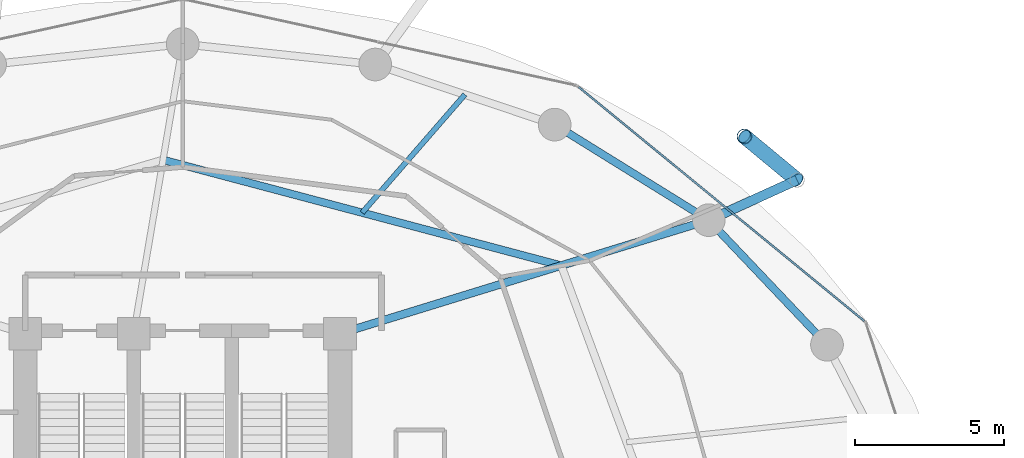
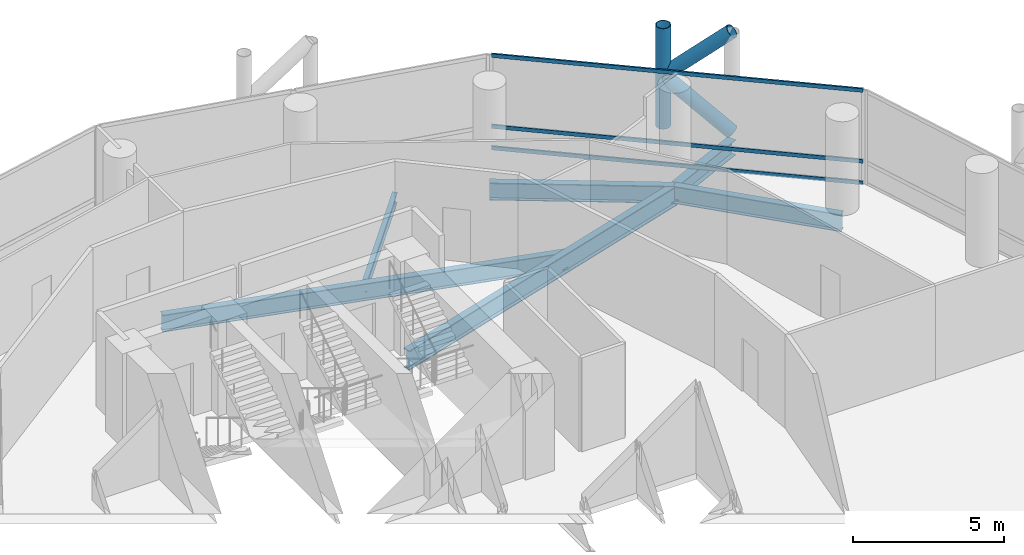
# One storey, part 17 of 25: 6 beams, 6 members, 1 element without a shape of its own.
"""IFC4 building model written with IfcOpenShell, lengths in metres."""

from ifc_helpers import new_model, si_unit, direction, frame, origin, origin_2d, place, context, subcontext, project, spatial, hollow_rectangle, hollow_circle, i_section, extrude, material, layer, layer_set, material_profile, profile_set, type_object, element, aggregate, save


model = new_model("IFC4")

# Units and contexts
model_context = context("Model", 3, precision=1e-05, world=origin(), true_north=direction((0.0, 1.0)))
body_context = subcontext(model_context, "Body", "Model", "MODEL_VIEW")
ifc_project = project(units=[si_unit("LENGTHUNIT", "METRE"), si_unit("AREAUNIT", "SQUARE_METRE"), si_unit("VOLUMEUNIT", "CUBIC_METRE"), si_unit("PLANEANGLEUNIT", "RADIAN"), si_unit("MASSUNIT", "GRAM", prefix="KILO")], contexts=[model_context])

# Site, building, storey
site_placement = place(None, origin())
site = spatial("IfcSite", under=ifc_project, at=site_placement, CompositionType="ELEMENT")
building_placement = place(site_placement, origin())
building = spatial("IfcBuilding", under=site, at=building_placement, Name="Nuhasar Tower", CompositionType="ELEMENT")
storey_placement = place(building_placement, frame((0.0, 0.0, 45.300048828125)))
storey = spatial("IfcBuildingStorey", under=building, at=storey_placement, Name="L10", CompositionType="ELEMENT", Elevation=45.300048828125)

# Beams
ifc_material_1 = material(Name="Steel S355", Category="steel")
ifc_material_profile_1 = material_profile(ifc_material_1, i_section(OverallWidth=0.25390625, OverallDepth=0.68408203125, WebThickness=0.012451171875, FlangeThickness=0.018798828125, at=origin_2d()), Name="W27X94")
ifc_profile_set_1 = profile_set([ifc_material_profile_1], Name="Steel S355")
beam_type_1 = type_object("IfcBeamType", Name="BM-INRING-W27X94", PredefinedType="BEAM", material=ifc_profile_set_1)
beam_1_placement = place(storey_placement, frame((51.748046875, 39.591064453125, -0.60205078125), z_axis=(-0.96653253005, 0.256544086574, 0.0), x_axis=(-0.256544086574, -0.96653253005, 0.0)))
element("IfcBeam", 1, at=beam_1_placement, inside=storey, type_object=beam_type_1, Name="L10 Inner Header Beam 05", PredefinedType="BEAM", context=body_context, shape_type="SweptSolid", body=[
    extrude(i_section(OverallWidth=0.25390625, OverallDepth=0.68408203125, WebThickness=0.012451171875, FlangeThickness=0.018798828125, at=origin_2d()), origin(), (0.0, 0.0, 1.0), 13.872314453125),
])
ifc_material_profile_2 = material_profile(ifc_material_1, i_section(OverallWidth=0.177978515625, OverallDepth=0.406005859375, WebThickness=0.0078125, FlangeThickness=0.0126953125, at=origin_2d()), Name="W16X40")
ifc_profile_set_2 = profile_set([ifc_material_profile_2], Name="Steel S355")
beam_type_2 = type_object("IfcBeamType", Name="BM-JST-W16X40", PredefinedType="JOIST", material=ifc_profile_set_2)
beam_2_placement = place(storey_placement, frame((45.0439453125, 41.3701171875, -0.463134765625), z_axis=(0.656174129694, 0.754609509296, 0.0), x_axis=(-0.754609509296, 0.656174129694, 0.0)))
element("IfcBeam", 2, at=beam_2_placement, inside=storey, type_object=beam_type_2, Name="L10 Secondary Floor Joist 05", PredefinedType="JOIST", context=body_context, shape_type="SweptSolid", body=[
    extrude(i_section(OverallWidth=0.177978515625, OverallDepth=0.406005859375, WebThickness=0.0078125, FlangeThickness=0.0126953125, at=origin_2d()), origin(), (0.0, 0.0, 1.0), 5.27294921875),
])
ifc_material_profile_3 = material_profile(ifc_material_1, i_section(OverallWidth=0.26611328125, OverallDepth=0.779052734375, WebThickness=0.0166015625, FlangeThickness=0.030029296875, at=origin_2d()), Name="W30X148")
ifc_profile_set_3 = profile_set([ifc_material_profile_3], Name="Steel S355")
beam_type_3 = type_object("IfcBeamType", Name="BM-RAD-W30X148", PredefinedType="BEAM", material=ifc_profile_set_3)
beam_3_placement = place(storey_placement, frame((44.300048828125, 37.300048828125, -0.649169921875), z_axis=(0.955789576103, 0.294051502653, 0.0), x_axis=(-0.294051502653, 0.955789576103, 0.0)))
element("IfcBeam", 3, at=beam_3_placement, inside=storey, type_object=beam_type_3, Name="L10 Radial Floor Girder 05", PredefinedType="BEAM", context=body_context, shape_type="SweptSolid", body=[
    extrude(i_section(OverallWidth=0.26611328125, OverallDepth=0.779052734375, WebThickness=0.0166015625, FlangeThickness=0.030029296875, at=origin_2d()), origin(), (0.0, 0.0, 1.0), 12.987060546875),
])
ifc_material_profile_4 = material_profile(ifc_material_1, i_section(OverallWidth=0.256103515625, OverallDepth=0.693115234375, WebThickness=0.014404296875, FlangeThickness=0.023681640625, at=origin_2d()), Name="W27X114")
ifc_profile_set_4 = profile_set([ifc_material_profile_4], Name="Steel S355")
beam_type_4 = type_object("IfcBeamType", Name="BM-RING-W27X114", PredefinedType="SPANDREL", material=ifc_profile_set_4)
beam_4_placement = place(storey_placement, frame((60.694091796875, 36.925048828125, -0.60595703125), z_axis=(-0.688480893507, 0.725254478976, 0.0), x_axis=(-0.725254478976, -0.688480893507, 0.0)))
element("IfcBeam", 4, at=beam_4_placement, inside=storey, type_object=beam_type_4, Name="L10 Perimeter Ring Spandrel 03", PredefinedType="SPANDREL", context=body_context, shape_type="SweptSolid", body=[
    extrude(i_section(OverallWidth=0.256103515625, OverallDepth=0.693115234375, WebThickness=0.014404296875, FlangeThickness=0.023681640625, at=origin_2d()), origin(), (0.0, 0.0, 1.0), 5.782470703125),
])
beam_5_placement = place(storey_placement, frame((56.712890625, 41.118896484375, -0.60595703125), z_axis=(-0.849795216549, 0.527112976439, 0.0), x_axis=(-0.527112976439, -0.849795216549, 0.0)))
element("IfcBeam", 5, at=beam_5_placement, inside=storey, type_object=beam_type_4, Name="L10 Perimeter Ring Spandrel 04", PredefinedType="SPANDREL", context=body_context, shape_type="SweptSolid", body=[
    extrude(i_section(OverallWidth=0.256103515625, OverallDepth=0.693115234375, WebThickness=0.014404296875, FlangeThickness=0.023681640625, at=origin_2d()), origin(), (0.0, 0.0, 1.0), 6.10498046875),
])
ifc_material_profile_5 = material_profile(ifc_material_1, i_section(OverallWidth=0.323974609375, OverallDepth=0.611083984375, WebThickness=0.0126953125, FlangeThickness=0.01904296875, at=origin_2d()), Name="W24X104")
ifc_profile_set_5 = profile_set([ifc_material_profile_5], Name="Steel S355")
beam_type_5 = type_object("IfcBeamType", Name="BM-TIE-W24X104", PredefinedType="BEAM", material=ifc_profile_set_5)
beam_6_placement = place(storey_placement, frame((56.712890625, 41.118896484375, -0.566162109375), z_axis=(0.910243528587, 0.414073325227, 0.0), x_axis=(-0.414073325227, 0.910243528587, 0.0)))
element("IfcBeam", 6, at=beam_6_placement, inside=storey, type_object=beam_type_5, Name="L10 Exoskeleton Node Tie Beam 02", PredefinedType="BEAM", context=body_context, shape_type="SweptSolid", body=[
    extrude(i_section(OverallWidth=0.323974609375, OverallDepth=0.611083984375, WebThickness=0.0126953125, FlangeThickness=0.01904296875, at=origin_2d()), origin(), (0.0, 0.0, 1.0), 3.26513671875),
])

# Curtain wall, members
ifc_material_2 = material(Name="Aluminium 6063-T6", Category="aluminium")
ifc_layer = layer(ifc_material_2, 0.199951171875)
ifc_layer_set = layer_set([ifc_layer], Name="Aluminium 6063-T6")
curtain_wall_type = type_object("IfcCurtainWallType", Name="CW-Z1-OFF", PredefinedType="NOTDEFINED", material=ifc_layer_set)
curtain_wall_placement = place(storey_placement, origin())
curtain_wall = element("IfcCurtainWall", 7, at=curtain_wall_placement, inside=storey, type_object=curtain_wall_type, Name="L10 Unitised Curtain Wall 02", PredefinedType="NOTDEFINED")
ifc_material_profile_6 = material_profile(ifc_material_2, hollow_rectangle(XDim=0.06494140625, YDim=0.14990234375, WallThickness=0.00439453125, at=origin_2d()), Name="CWT-2")
ifc_profile_set_6 = profile_set([ifc_material_profile_6], Name="Aluminium 6063-T6")
member_type_1 = type_object("IfcMemberType", Name="CW-TRN-S2", PredefinedType="USERDEFINED", material=ifc_profile_set_6)
member_1_placement = place(storey_placement, frame((61.95166015625, 37.72119140625, 0.032470703125), z_axis=(-0.773540851599, 0.633746440548, 0.0), x_axis=(-0.633746440548, -0.773540851599, 0.0)))
member_1 = element("IfcMember", 8, at=member_1_placement, type_object=member_type_1, Name="CW-Z1 transom 1.1", ObjectType="TRANSOM", PredefinedType="USERDEFINED", context=body_context, shape_type="SweptSolid", body=[
    extrude(hollow_rectangle(XDim=0.06494140625, YDim=0.14990234375, WallThickness=0.00439453125, at=origin_2d()), origin(), (0.0, 0.0, 1.0), 12.43798828125),
])
member_2_placement = place(storey_placement, frame((61.95166015625, 37.72119140625, 0.89990234375), z_axis=(-0.773540851599, 0.633746440548, 0.0), x_axis=(-0.633746440548, -0.773540851599, 0.0)))
member_2 = element("IfcMember", 9, at=member_2_placement, type_object=member_type_1, Name="CW-Z1 transom 1.2", ObjectType="TRANSOM", PredefinedType="USERDEFINED", context=body_context, shape_type="SweptSolid", body=[
    extrude(hollow_rectangle(XDim=0.06494140625, YDim=0.14990234375, WallThickness=0.00439453125, at=origin_2d()), origin(), (0.0, 0.0, 1.0), 12.43798828125),
])
member_3_placement = place(storey_placement, frame((61.95166015625, 37.72119140625, 3.757568359375), z_axis=(-0.773540851599, 0.633746440548, 0.0), x_axis=(-0.633746440548, -0.773540851599, 0.0)))
member_3 = element("IfcMember", 10, at=member_3_placement, type_object=member_type_1, Name="CW-Z1 transom 1.3", ObjectType="TRANSOM", PredefinedType="USERDEFINED", context=body_context, shape_type="SweptSolid", body=[
    extrude(hollow_rectangle(XDim=0.06494140625, YDim=0.14990234375, WallThickness=0.00439453125, at=origin_2d()), origin(), (0.0, 0.0, 1.0), 12.43798828125),
])
aggregate(curtain_wall, [member_1, member_2, member_3])

# Members
ifc_material_3 = material(Name="Steel S460", Category="steel")
ifc_material_profile_7 = material_profile(ifc_material_3, hollow_circle(Radius=0.25390625, WallThickness=0.025390625, at=origin_2d()), Name="HSS508X25.4")
ifc_profile_set_7 = profile_set([ifc_material_profile_7], Name="Steel S460")
member_type_2 = type_object("IfcMemberType", Name="EXO-BRONZE-508", PredefinedType="BRACE", material=ifc_profile_set_7)
member_4_placement = place(storey_placement, frame((57.9130859375, 43.93896484375, 0.0), z_axis=(0.0, 0.0, 1.0), x_axis=(1.0, 0.0, 0.0)))
element("IfcMember", 11, at=member_4_placement, inside=storey, type_object=member_type_2, Name="L10 Exoskeleton Chord Column EC-02B", PredefinedType="BRACE", context=body_context, shape_type="SweptSolid", body=[
    extrude(hollow_circle(Radius=0.25390625, WallThickness=0.025390625, at=origin_2d()), origin(), (0.0, 0.0, 1.0), 4.050048828125),
])
member_5_placement = place(storey_placement, frame((59.68505859375, 42.470947265625, 0.0), z_axis=(-0.578101613167, 0.478937034992, 0.660619286251), x_axis=(-0.637969333506, -0.770061769929, 0.0)))
element("IfcMember", 12, at=member_5_placement, inside=storey, type_object=member_type_2, Name="L10 Bronze Diagrid Brace W1-02", PredefinedType="BRACE", context=body_context, shape_type="SweptSolid", body=[
    extrude(hollow_circle(Radius=0.25390625, WallThickness=0.025390625, at=origin_2d()), origin(), (0.0, 0.0, 1.0), 3.065185546875),
])
member_6_placement = place(storey_placement, frame((57.9130859375, 43.93896484375, 2.02490234375), z_axis=(0.578071194894, -0.478911834514, 0.660664172175), x_axis=(0.637969333506, 0.770061769929, 0.0)))
element("IfcMember", 13, at=member_6_placement, inside=storey, type_object=member_type_2, Name="L10 Bronze Diagrid Brace W2-02", PredefinedType="BRACE", context=body_context, shape_type="SweptSolid", body=[
    extrude(hollow_circle(Radius=0.25390625, WallThickness=0.025390625, at=origin_2d()), origin(), (0.0, 0.0, 1.0), 3.0654296875),
])

save(model, "model.ifc")
